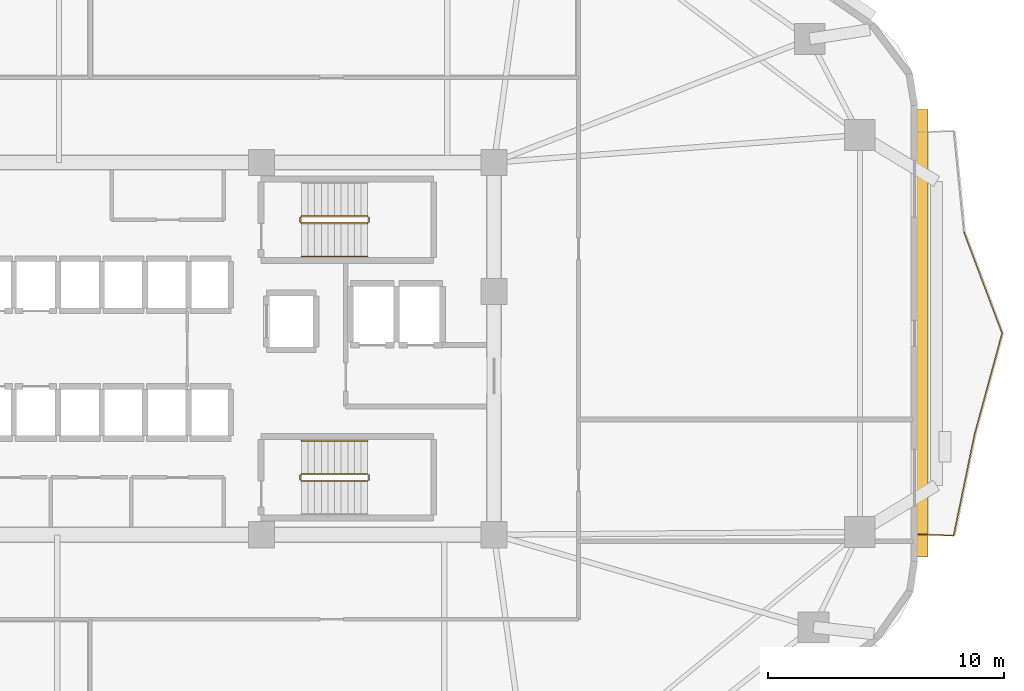
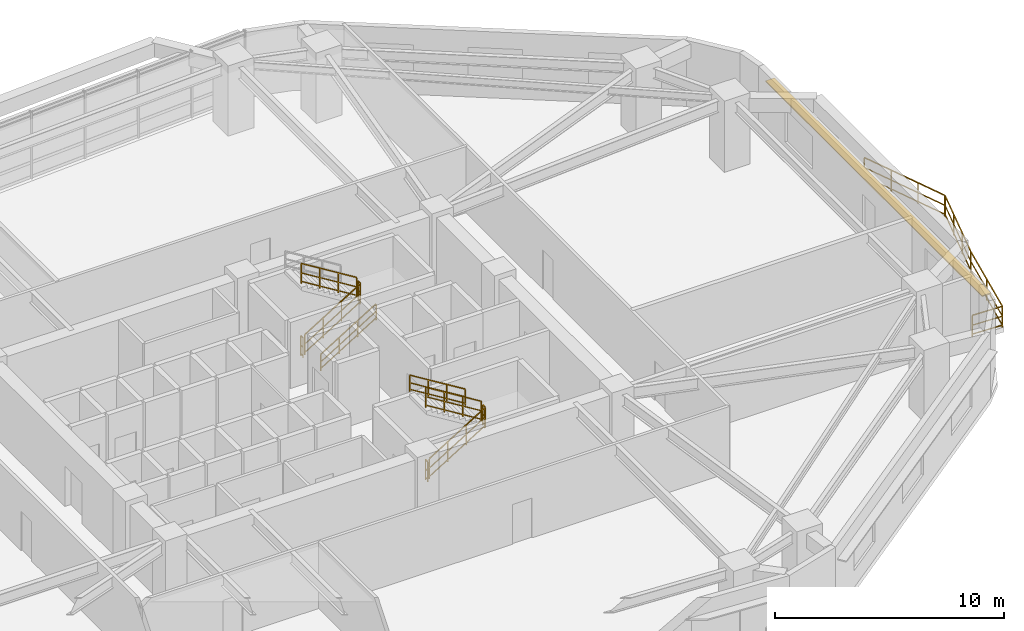
# One storey, part 10 of 11: 14 railings, 1 shading device.
"""IFC4 building model written with IfcOpenShell, lengths in metres."""

from ifc_helpers import new_model, si_unit, direction, frame, origin, origin_2d, place, context, subcontext, project, spatial, rectangle, extrude, material, layer, layer_set, type_object, element, save


model = new_model("IFC4")

# Units and contexts
model_context = context("Model", 3, precision=1e-05, world=origin(), true_north=direction((0.0, 1.0)))
body_context = subcontext(model_context, "Body", "Model", "MODEL_VIEW")
ifc_project = project(units=[si_unit("LENGTHUNIT", "METRE"), si_unit("AREAUNIT", "SQUARE_METRE"), si_unit("VOLUMEUNIT", "CUBIC_METRE"), si_unit("PLANEANGLEUNIT", "RADIAN"), si_unit("MASSUNIT", "GRAM", prefix="KILO")], contexts=[model_context])

# Site, building, storey
site_placement = place(None, origin())
site = spatial("IfcSite", under=ifc_project, at=site_placement, CompositionType="ELEMENT")
building_placement = place(site_placement, origin())
building = spatial("IfcBuilding", under=site, at=building_placement, Name="Zulverin Broadcast Headquarters", CompositionType="ELEMENT")
storey_placement = place(building_placement, frame((0.0, 0.0, 78.199951171875)))
storey = spatial("IfcBuildingStorey", under=building, at=storey_placement, Name="L19", CompositionType="ELEMENT", Elevation=78.199951171875)

# Railings
ifc_material_1 = material(Name="Brushed stainless steel & laminated glass balustrade", Category="steel")
railing_type_1 = type_object("IfcRailingType", Name="RL-GUARD-1150", PredefinedType="GUARDRAIL", material=ifc_material_1)
railing_1_placement = place(storey_placement, frame((66.239990234375, 17.343505859375, 0.0)))
element("IfcRailing", 1, at=railing_1_placement, inside=storey, type_object=railing_type_1, Name="L19 Vertical-Forest Balcony Guardrail BAL_E Segment 01", PredefinedType="GUARDRAIL", context=body_context, shape_type="SweptSolid", body=[
    extrude(rectangle(XDim=0.048095703125, YDim=0.048095703125, at=origin_2d()), frame((0.0, 0.0, 1.1259765625), z_axis=(0.999174410196, -0.040626321628, 0.0), x_axis=(0.040626321628, 0.999174410196, 0.0)), (0.0, 0.0, 1.0), 1.46630859375),
    extrude(rectangle(XDim=0.0419921875, YDim=0.0419921875, at=origin_2d()), frame((0.0, 0.0, 0.597900390625), z_axis=(0.999174410196, -0.040626321628, 0.0), x_axis=(0.040626321628, 0.999174410196, 0.0)), (0.0, 0.0, 1.0), 1.46630859375),
    extrude(rectangle(XDim=0.0419921875, YDim=0.0419921875, at=origin_2d()), frame((0.0, 0.0, 0.1201171875), z_axis=(0.999174410196, -0.040626321628, 0.0), x_axis=(0.040626321628, 0.999174410196, 0.0)), (0.0, 0.0, 1.0), 1.46630859375),
    extrude(rectangle(XDim=0.0419921875, YDim=0.0419921875, at=origin_2d()), origin(), (0.0, 0.0, 1.0), 1.101806640625),
    extrude(rectangle(XDim=0.0419921875, YDim=0.0419921875, at=origin_2d()), frame((1.465087890625, -0.0595703125, 0.0)), (0.0, 0.0, 1.0), 1.101806640625),
])
railing_2_placement = place(storey_placement, frame((67.722900390625, 17.298095703125, 0.0)))
element("IfcRailing", 2, at=railing_2_placement, inside=storey, type_object=railing_type_1, Name="L19 Vertical-Forest Balcony Guardrail BAL_E Segment 02", PredefinedType="GUARDRAIL", context=body_context, shape_type="SweptSolid", body=[
    extrude(rectangle(XDim=0.048095703125, YDim=0.048095703125, at=origin_2d()), frame((0.0, 0.0, 1.1259765625), z_axis=(0.202144590502, 0.979355688466, 0.0), x_axis=(-0.979355688466, 0.202144590502, 0.0)), (0.0, 0.0, 1.0), 4.343017578125),
    extrude(rectangle(XDim=0.0419921875, YDim=0.0419921875, at=origin_2d()), frame((0.0, 0.0, 0.597900390625), z_axis=(0.202144590502, 0.979355688466, 0.0), x_axis=(-0.979355688466, 0.202144590502, 0.0)), (0.0, 0.0, 1.0), 4.343017578125),
    extrude(rectangle(XDim=0.0419921875, YDim=0.0419921875, at=origin_2d()), frame((0.0, 0.0, 0.1201171875), z_axis=(0.202144590502, 0.979355688466, 0.0), x_axis=(-0.979355688466, 0.202144590502, 0.0)), (0.0, 0.0, 1.0), 4.343017578125),
    extrude(rectangle(XDim=0.0419921875, YDim=0.0419921875, at=origin_2d()), origin(), (0.0, 0.0, 1.0), 1.101806640625),
    extrude(rectangle(XDim=0.0419921875, YDim=0.0419921875, at=origin_2d()), frame((0.43896484375, 2.126708984375, 0.0)), (0.0, 0.0, 1.0), 1.101806640625),
    extrude(rectangle(XDim=0.0419921875, YDim=0.0419921875, at=origin_2d()), frame((0.8779296875, 4.25341796875, 0.0)), (0.0, 0.0, 1.0), 1.101806640625),
])
railing_3_placement = place(storey_placement, frame((68.607666015625, 21.580810546875, 0.0)))
element("IfcRailing", 3, at=railing_3_placement, inside=storey, type_object=railing_type_1, Name="L19 Vertical-Forest Balcony Guardrail BAL_E Segment 03", PredefinedType="GUARDRAIL", context=body_context, shape_type="SweptSolid", body=[
    extrude(rectangle(XDim=0.048095703125, YDim=0.048095703125, at=origin_2d()), frame((0.0, 0.0, 1.1259765625), z_axis=(0.262770634648, 0.964858328236, 0.0), x_axis=(-0.964858328236, 0.262770634648, 0.0)), (0.0, 0.0, 1.0), 4.40869140625),
    extrude(rectangle(XDim=0.0419921875, YDim=0.0419921875, at=origin_2d()), frame((0.0, 0.0, 0.597900390625), z_axis=(0.262770634648, 0.964858328236, 0.0), x_axis=(-0.964858328236, 0.262770634648, 0.0)), (0.0, 0.0, 1.0), 4.40869140625),
    extrude(rectangle(XDim=0.0419921875, YDim=0.0419921875, at=origin_2d()), frame((0.0, 0.0, 0.1201171875), z_axis=(0.262770634648, 0.964858328236, 0.0), x_axis=(-0.964858328236, 0.262770634648, 0.0)), (0.0, 0.0, 1.0), 4.40869140625),
    extrude(rectangle(XDim=0.0419921875, YDim=0.0419921875, at=origin_2d()), origin(), (0.0, 0.0, 1.0), 1.101806640625),
    extrude(rectangle(XDim=0.0419921875, YDim=0.0419921875, at=origin_2d()), frame((0.38623046875, 1.41796875, 0.0)), (0.0, 0.0, 1.0), 1.101806640625),
    extrude(rectangle(XDim=0.0419921875, YDim=0.0419921875, at=origin_2d()), frame((0.772216796875, 2.835693359375, 0.0)), (0.0, 0.0, 1.0), 1.101806640625),
    extrude(rectangle(XDim=0.0419921875, YDim=0.0419921875, at=origin_2d()), frame((1.158447265625, 4.253662109375, 0.0)), (0.0, 0.0, 1.0), 1.101806640625),
])
railing_4_placement = place(storey_placement, frame((69.7646484375, 25.86279296875, 0.0)))
element("IfcRailing", 4, at=railing_4_placement, inside=storey, type_object=railing_type_1, Name="L19 Vertical-Forest Balcony Guardrail BAL_E Segment 04", PredefinedType="GUARDRAIL", context=body_context, shape_type="SweptSolid", body=[
    extrude(rectangle(XDim=0.048095703125, YDim=0.048095703125, at=origin_2d()), frame((0.0, 0.0, 1.1259765625), z_axis=(-0.352934886411, 0.935647885667, 0.0), x_axis=(-0.935647885667, -0.352934886411, 0.0)), (0.0, 0.0, 1.0), 4.547607421875),
    extrude(rectangle(XDim=0.0419921875, YDim=0.0419921875, at=origin_2d()), frame((0.0, 0.0, 0.597900390625), z_axis=(-0.352934886411, 0.935647885667, 0.0), x_axis=(-0.935647885667, -0.352934886411, 0.0)), (0.0, 0.0, 1.0), 4.547607421875),
    extrude(rectangle(XDim=0.0419921875, YDim=0.0419921875, at=origin_2d()), frame((0.0, 0.0, 0.1201171875), z_axis=(-0.352934886411, 0.935647885667, 0.0), x_axis=(-0.935647885667, -0.352934886411, 0.0)), (0.0, 0.0, 1.0), 4.547607421875),
    extrude(rectangle(XDim=0.0419921875, YDim=0.0419921875, at=origin_2d()), origin(), (0.0, 0.0, 1.0), 1.101806640625),
    extrude(rectangle(XDim=0.0419921875, YDim=0.0419921875, at=origin_2d()), frame((-0.534912109375, 1.418212890625, 0.0)), (0.0, 0.0, 1.0), 1.101806640625),
    extrude(rectangle(XDim=0.0419921875, YDim=0.0419921875, at=origin_2d()), frame((-1.070068359375, 2.836669921875, 0.0)), (0.0, 0.0, 1.0), 1.101806640625),
    extrude(rectangle(XDim=0.0419921875, YDim=0.0419921875, at=origin_2d()), frame((-1.60498046875, 4.2548828125, 0.0)), (0.0, 0.0, 1.0), 1.101806640625),
])
ifc_material_2 = material(Name="Painted galvanized steel tubular guardrail S355JR", Category="steel")
railing_type_2 = type_object("IfcRailingType", Name="RL-ST-GUARD", PredefinedType="GUARDRAIL", material=ifc_material_2)
railing_5_placement = place(storey_placement, frame((40.1298828125, 30.5, 0.1728515625)))
element("IfcRailing", 5, at=railing_5_placement, inside=storey, type_object=railing_type_2, Name="L19 ST-1 stair guard 1", PredefinedType="GUARDRAIL", context=body_context, shape_type="SweptSolid", body=[
    extrude(rectangle(XDim=0.048095703125, YDim=0.048095703125, at=origin_2d()), frame((0.0, 0.0, 1.076171875), z_axis=(0.851089632645, 0.0, 0.525020415988), x_axis=(0.0, 1.0, 0.0)), (0.0, 0.0, 1.0), 3.2900390625),
    extrude(rectangle(XDim=0.0419921875, YDim=0.0419921875, at=origin_2d()), frame((0.0, 0.0, 0.572021484375), z_axis=(0.851089632645, 0.0, 0.525020415988), x_axis=(0.0, 1.0, 0.0)), (0.0, 0.0, 1.0), 3.2900390625),
    extrude(rectangle(XDim=0.0419921875, YDim=0.0419921875, at=origin_2d()), frame((0.0, 0.0, 0.1201171875), z_axis=(0.851089632645, 0.0, 0.525020415988), x_axis=(0.0, 1.0, 0.0)), (0.0, 0.0, 1.0), 3.2900390625),
    extrude(rectangle(XDim=0.0419921875, YDim=0.0419921875, at=origin_2d()), origin(), (0.0, 0.0, 1.0), 1.052001953125),
    extrude(rectangle(XDim=0.0419921875, YDim=0.0419921875, at=origin_2d()), frame((0.933349609375, 0.0, 0.57568359375)), (0.0, 0.0, 1.0), 1.052001953125),
    extrude(rectangle(XDim=0.0419921875, YDim=0.0419921875, at=origin_2d()), frame((1.86669921875, 0.0, 1.151611328125)), (0.0, 0.0, 1.0), 1.052001953125),
    extrude(rectangle(XDim=0.0419921875, YDim=0.0419921875, at=origin_2d()), frame((2.800048828125, 0.0, 1.727294921875)), (0.0, 0.0, 1.0), 1.052001953125),
])
railing_6_placement = place(storey_placement, frame((42.97998046875, 30.550048828125, 1.900146484375)))
element("IfcRailing", 6, at=railing_6_placement, inside=storey, type_object=railing_type_2, Name="L19 ST-1 stair guard 2", PredefinedType="GUARDRAIL", context=body_context, shape_type="SweptSolid", body=[
    extrude(rectangle(XDim=0.048095703125, YDim=0.048095703125, at=origin_2d()), frame((0.0, 0.0, 1.076171875), z_axis=(0.0, 1.0, 0.0), x_axis=(-1.0, 0.0, 0.0)), (0.0, 0.0, 1.0), 0.199951171875),
    extrude(rectangle(XDim=0.0419921875, YDim=0.0419921875, at=origin_2d()), frame((0.0, 0.0, 0.572021484375), z_axis=(0.0, 1.0, 0.0), x_axis=(-1.0, 0.0, 0.0)), (0.0, 0.0, 1.0), 0.199951171875),
    extrude(rectangle(XDim=0.0419921875, YDim=0.0419921875, at=origin_2d()), frame((0.0, 0.0, 0.1201171875), z_axis=(0.0, 1.0, 0.0), x_axis=(-1.0, 0.0, 0.0)), (0.0, 0.0, 1.0), 0.199951171875),
    extrude(rectangle(XDim=0.0419921875, YDim=0.0419921875, at=origin_2d()), origin(), (0.0, 0.0, 1.0), 1.052001953125),
    extrude(rectangle(XDim=0.0419921875, YDim=0.0419921875, at=origin_2d()), frame((0.0, 0.199951171875, 0.0)), (0.0, 0.0, 1.0), 1.052001953125),
])
railing_7_placement = place(storey_placement, frame((42.929931640625, 30.800048828125, 2.07275390625)))
element("IfcRailing", 7, at=railing_7_placement, inside=storey, type_object=railing_type_2, Name="L19 ST-1 stair guard 3", PredefinedType="GUARDRAIL", context=body_context, shape_type="SweptSolid", body=[
    extrude(rectangle(XDim=0.048095703125, YDim=0.048095703125, at=origin_2d()), frame((0.0, 0.0, 1.076171875), z_axis=(-0.851089632645, 0.0, 0.525020415988), x_axis=(0.0, -1.0, 0.0)), (0.0, 0.0, 1.0), 3.2900390625),
    extrude(rectangle(XDim=0.0419921875, YDim=0.0419921875, at=origin_2d()), frame((0.0, 0.0, 0.572021484375), z_axis=(-0.851089632645, 0.0, 0.525020415988), x_axis=(0.0, -1.0, 0.0)), (0.0, 0.0, 1.0), 3.2900390625),
    extrude(rectangle(XDim=0.0419921875, YDim=0.0419921875, at=origin_2d()), frame((0.0, 0.0, 0.1201171875), z_axis=(-0.851089632645, 0.0, 0.525020415988), x_axis=(0.0, -1.0, 0.0)), (0.0, 0.0, 1.0), 3.2900390625),
    extrude(rectangle(XDim=0.0419921875, YDim=0.0419921875, at=origin_2d()), origin(), (0.0, 0.0, 1.0), 1.052001953125),
    extrude(rectangle(XDim=0.0419921875, YDim=0.0419921875, at=origin_2d()), frame((-0.933349609375, 0.0, 0.57568359375)), (0.0, 0.0, 1.0), 1.052001953125),
    extrude(rectangle(XDim=0.0419921875, YDim=0.0419921875, at=origin_2d()), frame((-1.86669921875, 0.0, 1.151611328125)), (0.0, 0.0, 1.0), 1.052001953125),
    extrude(rectangle(XDim=0.0419921875, YDim=0.0419921875, at=origin_2d()), frame((-2.800048828125, 0.0, 1.727294921875)), (0.0, 0.0, 1.0), 1.052001953125),
])
railing_8_placement = place(storey_placement, frame((40.080078125, 30.550048828125, 0.0)))
element("IfcRailing", 8, at=railing_8_placement, inside=storey, type_object=railing_type_2, Name="L19 ST-1 stair guard 4", PredefinedType="GUARDRAIL", context=body_context, shape_type="SweptSolid", body=[
    extrude(rectangle(XDim=0.048095703125, YDim=0.048095703125, at=origin_2d()), frame((0.0, 0.0, 1.076171875), z_axis=(0.0, 1.0, 0.0), x_axis=(-1.0, 0.0, 0.0)), (0.0, 0.0, 1.0), 0.199951171875),
    extrude(rectangle(XDim=0.0419921875, YDim=0.0419921875, at=origin_2d()), frame((0.0, 0.0, 0.572021484375), z_axis=(0.0, 1.0, 0.0), x_axis=(-1.0, 0.0, 0.0)), (0.0, 0.0, 1.0), 0.199951171875),
    extrude(rectangle(XDim=0.0419921875, YDim=0.0419921875, at=origin_2d()), frame((0.0, 0.0, 0.1201171875), z_axis=(0.0, 1.0, 0.0), x_axis=(-1.0, 0.0, 0.0)), (0.0, 0.0, 1.0), 0.199951171875),
    extrude(rectangle(XDim=0.0419921875, YDim=0.0419921875, at=origin_2d()), origin(), (0.0, 0.0, 1.0), 1.052001953125),
    extrude(rectangle(XDim=0.0419921875, YDim=0.0419921875, at=origin_2d()), frame((0.0, 0.199951171875, 0.0)), (0.0, 0.0, 1.0), 1.052001953125),
])
railing_9_placement = place(storey_placement, frame((40.1298828125, 19.60009765625, 0.1728515625)))
element("IfcRailing", 9, at=railing_9_placement, inside=storey, type_object=railing_type_2, Name="L19 ST-2 stair guard 1", PredefinedType="GUARDRAIL", context=body_context, shape_type="SweptSolid", body=[
    extrude(rectangle(XDim=0.048095703125, YDim=0.048095703125, at=origin_2d()), frame((0.0, 0.0, 1.076171875), z_axis=(0.851089632645, 0.0, 0.525020415988), x_axis=(0.0, 1.0, 0.0)), (0.0, 0.0, 1.0), 3.2900390625),
    extrude(rectangle(XDim=0.0419921875, YDim=0.0419921875, at=origin_2d()), frame((0.0, 0.0, 0.572021484375), z_axis=(0.851089632645, 0.0, 0.525020415988), x_axis=(0.0, 1.0, 0.0)), (0.0, 0.0, 1.0), 3.2900390625),
    extrude(rectangle(XDim=0.0419921875, YDim=0.0419921875, at=origin_2d()), frame((0.0, 0.0, 0.1201171875), z_axis=(0.851089632645, 0.0, 0.525020415988), x_axis=(0.0, 1.0, 0.0)), (0.0, 0.0, 1.0), 3.2900390625),
    extrude(rectangle(XDim=0.0419921875, YDim=0.0419921875, at=origin_2d()), origin(), (0.0, 0.0, 1.0), 1.052001953125),
    extrude(rectangle(XDim=0.0419921875, YDim=0.0419921875, at=origin_2d()), frame((0.933349609375, 0.0, 0.57568359375)), (0.0, 0.0, 1.0), 1.052001953125),
    extrude(rectangle(XDim=0.0419921875, YDim=0.0419921875, at=origin_2d()), frame((1.86669921875, 0.0, 1.151611328125)), (0.0, 0.0, 1.0), 1.052001953125),
    extrude(rectangle(XDim=0.0419921875, YDim=0.0419921875, at=origin_2d()), frame((2.800048828125, 0.0, 1.727294921875)), (0.0, 0.0, 1.0), 1.052001953125),
])
railing_10_placement = place(storey_placement, frame((42.97998046875, 19.64990234375, 1.900146484375)))
element("IfcRailing", 10, at=railing_10_placement, inside=storey, type_object=railing_type_2, Name="L19 ST-2 stair guard 2", PredefinedType="GUARDRAIL", context=body_context, shape_type="SweptSolid", body=[
    extrude(rectangle(XDim=0.048095703125, YDim=0.048095703125, at=origin_2d()), frame((0.0, 0.0, 1.076171875), z_axis=(0.0, 1.0, 0.0), x_axis=(-1.0, 0.0, 0.0)), (0.0, 0.0, 1.0), 0.2001953125),
    extrude(rectangle(XDim=0.0419921875, YDim=0.0419921875, at=origin_2d()), frame((0.0, 0.0, 0.572021484375), z_axis=(0.0, 1.0, 0.0), x_axis=(-1.0, 0.0, 0.0)), (0.0, 0.0, 1.0), 0.2001953125),
    extrude(rectangle(XDim=0.0419921875, YDim=0.0419921875, at=origin_2d()), frame((0.0, 0.0, 0.1201171875), z_axis=(0.0, 1.0, 0.0), x_axis=(-1.0, 0.0, 0.0)), (0.0, 0.0, 1.0), 0.2001953125),
    extrude(rectangle(XDim=0.0419921875, YDim=0.0419921875, at=origin_2d()), origin(), (0.0, 0.0, 1.0), 1.052001953125),
    extrude(rectangle(XDim=0.0419921875, YDim=0.0419921875, at=origin_2d()), frame((0.0, 0.2001953125, 0.0)), (0.0, 0.0, 1.0), 1.052001953125),
])
railing_11_placement = place(storey_placement, frame((42.929931640625, 19.89990234375, 2.07275390625)))
element("IfcRailing", 11, at=railing_11_placement, inside=storey, type_object=railing_type_2, Name="L19 ST-2 stair guard 3", PredefinedType="GUARDRAIL", context=body_context, shape_type="SweptSolid", body=[
    extrude(rectangle(XDim=0.048095703125, YDim=0.048095703125, at=origin_2d()), frame((0.0, 0.0, 1.076171875), z_axis=(-0.851089632645, 0.0, 0.525020415988), x_axis=(0.0, -1.0, 0.0)), (0.0, 0.0, 1.0), 3.2900390625),
    extrude(rectangle(XDim=0.0419921875, YDim=0.0419921875, at=origin_2d()), frame((0.0, 0.0, 0.572021484375), z_axis=(-0.851089632645, 0.0, 0.525020415988), x_axis=(0.0, -1.0, 0.0)), (0.0, 0.0, 1.0), 3.2900390625),
    extrude(rectangle(XDim=0.0419921875, YDim=0.0419921875, at=origin_2d()), frame((0.0, 0.0, 0.1201171875), z_axis=(-0.851089632645, 0.0, 0.525020415988), x_axis=(0.0, -1.0, 0.0)), (0.0, 0.0, 1.0), 3.2900390625),
    extrude(rectangle(XDim=0.0419921875, YDim=0.0419921875, at=origin_2d()), origin(), (0.0, 0.0, 1.0), 1.052001953125),
    extrude(rectangle(XDim=0.0419921875, YDim=0.0419921875, at=origin_2d()), frame((-0.933349609375, 0.0, 0.57568359375)), (0.0, 0.0, 1.0), 1.052001953125),
    extrude(rectangle(XDim=0.0419921875, YDim=0.0419921875, at=origin_2d()), frame((-1.86669921875, 0.0, 1.151611328125)), (0.0, 0.0, 1.0), 1.052001953125),
    extrude(rectangle(XDim=0.0419921875, YDim=0.0419921875, at=origin_2d()), frame((-2.800048828125, 0.0, 1.727294921875)), (0.0, 0.0, 1.0), 1.052001953125),
])
railing_12_placement = place(storey_placement, frame((40.080078125, 19.64990234375, 0.0)))
element("IfcRailing", 12, at=railing_12_placement, inside=storey, type_object=railing_type_2, Name="L19 ST-2 stair guard 4", PredefinedType="GUARDRAIL", context=body_context, shape_type="SweptSolid", body=[
    extrude(rectangle(XDim=0.048095703125, YDim=0.048095703125, at=origin_2d()), frame((0.0, 0.0, 1.076171875), z_axis=(0.0, 1.0, 0.0), x_axis=(-1.0, 0.0, 0.0)), (0.0, 0.0, 1.0), 0.2001953125),
    extrude(rectangle(XDim=0.0419921875, YDim=0.0419921875, at=origin_2d()), frame((0.0, 0.0, 0.572021484375), z_axis=(0.0, 1.0, 0.0), x_axis=(-1.0, 0.0, 0.0)), (0.0, 0.0, 1.0), 0.2001953125),
    extrude(rectangle(XDim=0.0419921875, YDim=0.0419921875, at=origin_2d()), frame((0.0, 0.0, 0.1201171875), z_axis=(0.0, 1.0, 0.0), x_axis=(-1.0, 0.0, 0.0)), (0.0, 0.0, 1.0), 0.2001953125),
    extrude(rectangle(XDim=0.0419921875, YDim=0.0419921875, at=origin_2d()), origin(), (0.0, 0.0, 1.0), 1.052001953125),
    extrude(rectangle(XDim=0.0419921875, YDim=0.0419921875, at=origin_2d()), frame((0.0, 0.2001953125, 0.0)), (0.0, 0.0, 1.0), 1.052001953125),
])
ifc_material_3 = material(Name="Brushed stainless steel 48 mm handrail", Category="steel")
railing_type_3 = type_object("IfcRailingType", Name="RL-ST-HAND", PredefinedType="HANDRAIL", material=ifc_material_3)
railing_13_placement = place(storey_placement, frame((40.1298828125, 29.10009765625, 0.1728515625)))
element("IfcRailing", 13, at=railing_13_placement, inside=storey, type_object=railing_type_3, Name="L19 ST-1 stair handrail 1", PredefinedType="HANDRAIL", context=body_context, shape_type="SweptSolid", body=[
    extrude(rectangle(XDim=0.048095703125, YDim=0.048095703125, at=origin_2d()), frame((0.0, 0.0, 0.8759765625), z_axis=(0.851089632645, 0.0, 0.525020415988), x_axis=(0.0, 1.0, 0.0)), (0.0, 0.0, 1.0), 3.2900390625),
    extrude(rectangle(XDim=0.0419921875, YDim=0.0419921875, at=origin_2d()), frame((0.0, 0.0, 0.468017578125), z_axis=(0.851089632645, 0.0, 0.525020415988), x_axis=(0.0, 1.0, 0.0)), (0.0, 0.0, 1.0), 3.2900390625),
    extrude(rectangle(XDim=0.0419921875, YDim=0.0419921875, at=origin_2d()), frame((0.0, 0.0, 0.1201171875), z_axis=(0.851089632645, 0.0, 0.525020415988), x_axis=(0.0, 1.0, 0.0)), (0.0, 0.0, 1.0), 3.2900390625),
    extrude(rectangle(XDim=0.0419921875, YDim=0.0419921875, at=origin_2d()), origin(), (0.0, 0.0, 1.0), 0.851806640625),
    extrude(rectangle(XDim=0.0419921875, YDim=0.0419921875, at=origin_2d()), frame((0.933349609375, 0.0, 0.57568359375)), (0.0, 0.0, 1.0), 0.851806640625),
    extrude(rectangle(XDim=0.0419921875, YDim=0.0419921875, at=origin_2d()), frame((1.86669921875, 0.0, 1.151611328125)), (0.0, 0.0, 1.0), 0.851806640625),
    extrude(rectangle(XDim=0.0419921875, YDim=0.0419921875, at=origin_2d()), frame((2.800048828125, 0.0, 1.727294921875)), (0.0, 0.0, 1.0), 0.851806640625),
])
railing_14_placement = place(storey_placement, frame((42.929931640625, 21.300048828125, 2.07275390625)))
element("IfcRailing", 14, at=railing_14_placement, inside=storey, type_object=railing_type_3, Name="L19 ST-2 stair handrail 2", PredefinedType="HANDRAIL", context=body_context, shape_type="SweptSolid", body=[
    extrude(rectangle(XDim=0.048095703125, YDim=0.048095703125, at=origin_2d()), frame((0.0, 0.0, 0.8759765625), z_axis=(-0.851089632645, 0.0, 0.525020415988), x_axis=(0.0, -1.0, 0.0)), (0.0, 0.0, 1.0), 3.2900390625),
    extrude(rectangle(XDim=0.0419921875, YDim=0.0419921875, at=origin_2d()), frame((0.0, 0.0, 0.468017578125), z_axis=(-0.851089632645, 0.0, 0.525020415988), x_axis=(0.0, -1.0, 0.0)), (0.0, 0.0, 1.0), 3.2900390625),
    extrude(rectangle(XDim=0.0419921875, YDim=0.0419921875, at=origin_2d()), frame((0.0, 0.0, 0.1201171875), z_axis=(-0.851089632645, 0.0, 0.525020415988), x_axis=(0.0, -1.0, 0.0)), (0.0, 0.0, 1.0), 3.2900390625),
    extrude(rectangle(XDim=0.0419921875, YDim=0.0419921875, at=origin_2d()), origin(), (0.0, 0.0, 1.0), 0.851806640625),
    extrude(rectangle(XDim=0.0419921875, YDim=0.0419921875, at=origin_2d()), frame((-0.933349609375, 0.0, 0.57568359375)), (0.0, 0.0, 1.0), 0.851806640625),
    extrude(rectangle(XDim=0.0419921875, YDim=0.0419921875, at=origin_2d()), frame((-1.86669921875, 0.0, 1.151611328125)), (0.0, 0.0, 1.0), 0.851806640625),
    extrude(rectangle(XDim=0.0419921875, YDim=0.0419921875, at=origin_2d()), frame((-2.800048828125, 0.0, 1.727294921875)), (0.0, 0.0, 1.0), 0.851806640625),
])

# Shading device
ifc_material_4 = material(Name="Anodized pale-metal aluminium sunshade", Category="aluminium")
ifc_layer = layer(ifc_material_4, 0.06005859375, Name="Anodized pale-metal aluminium sunshade", Category="aluminium")
ifc_layer_set = layer_set([ifc_layer], Name="Anodized pale-metal aluminium sunshade")
shading_device_type = type_object("IfcShadingDeviceType", Name="SS-01_PALE_METAL_ALUMINIUM_SUNSHADE", PredefinedType="USERDEFINED", material=ifc_layer_set)
shading_device_placement = place(storey_placement, frame((66.39990234375, 25.848876953125, 2.7099609375), z_axis=(0.0, 0.0, 1.0), x_axis=(0.0, 1.0, 0.0)))
element("IfcShadingDevice", 15, at=shading_device_placement, inside=storey, type_object=shading_device_type, Name="L19 Horizontal Pale-Metal Sunshade Band 3", ObjectType="SUNSHADE", PredefinedType="USERDEFINED", context=body_context, shape_type="SweptSolid", body=[
    extrude(rectangle(XDim=18.93115234375, YDim=0.449951171875, at=origin_2d()), origin(), (0.0, 0.0, 1.0), 0.06005859375),
])

save(model, "model.ifc")
